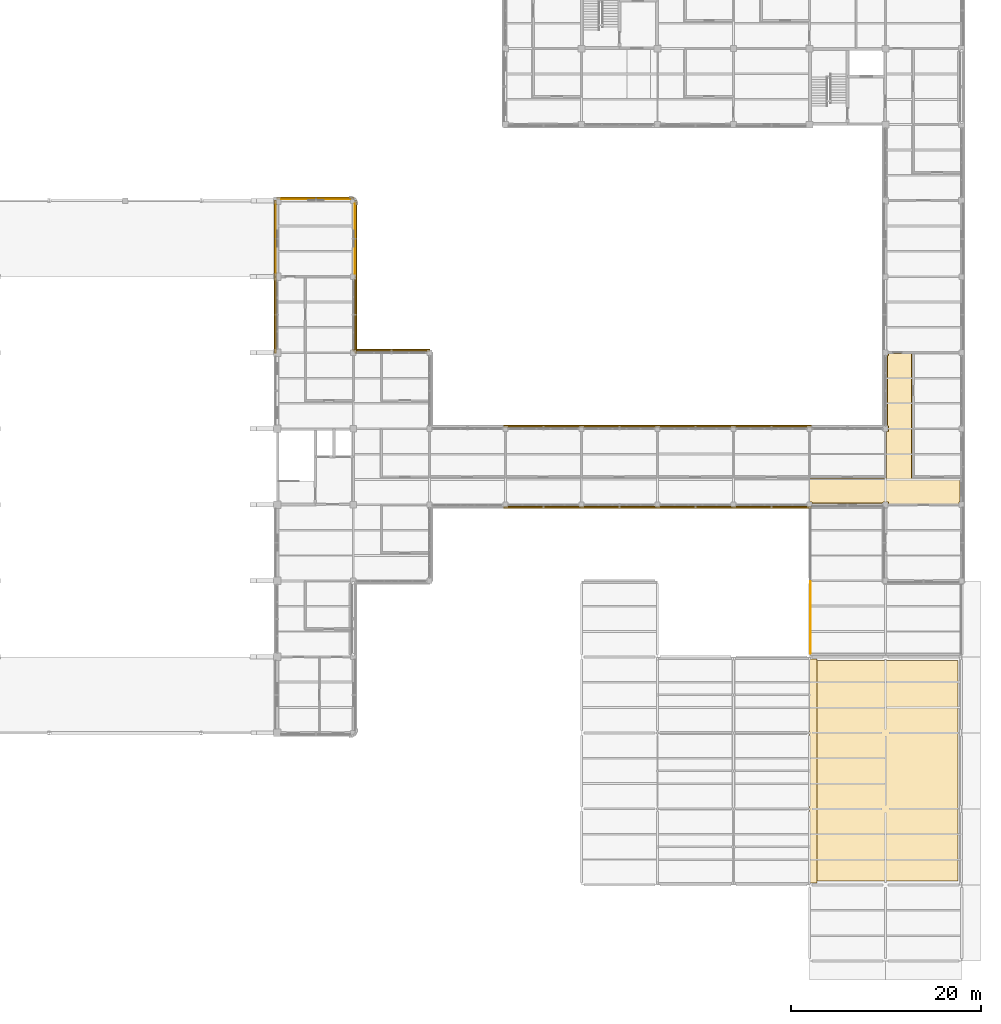
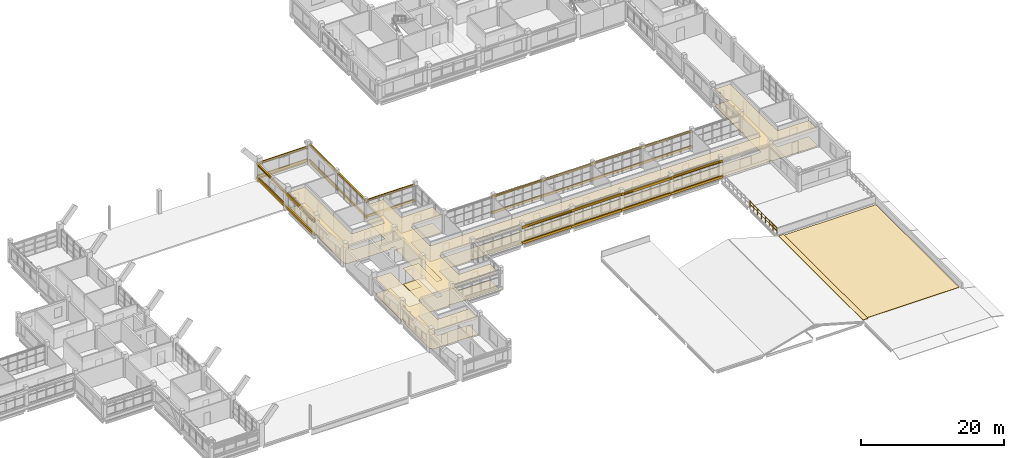
# One storey, part 88 of 92: 35 coverings, 14 shading devices, 1 railing, 2 elements without a shape of their own.
"""IFC4 building model written with IfcOpenShell, lengths in metres."""

from ifc_helpers import new_model, si_unit, derived_unit, direction, frame, origin, origin_2d, place, context, subcontext, project, spatial, polyline, rectangle, circle, outline, extrude, material, layer, layer_set, material_profile, profile_set, type_object, element, aggregate, save


model = new_model("IFC4")

# Units and contexts
model_context = context("Model", 3, precision=1e-05, world=origin(), true_north=direction((0.0, 1.0)))
body_context = subcontext(model_context, "Body", "Model", "MODEL_VIEW")
ifc_project = project(units=[si_unit("LENGTHUNIT", "METRE"), si_unit("AREAUNIT", "SQUARE_METRE"), si_unit("VOLUMEUNIT", "CUBIC_METRE"), si_unit("PLANEANGLEUNIT", "RADIAN"), si_unit("MASSUNIT", "GRAM", prefix="KILO"), derived_unit("THERMALTRANSMITTANCEUNIT", [(si_unit("MASSUNIT", "GRAM", prefix="KILO"), 1), (si_unit("TIMEUNIT", "SECOND"), -3), (si_unit("THERMODYNAMICTEMPERATUREUNIT", "KELVIN"), -1)])], contexts=[model_context])

# Site, building, storey
site_placement = place(None, origin())
site = spatial("IfcSite", under=ifc_project, at=site_placement, CompositionType="ELEMENT")
building_placement = place(site_placement, origin())
building = spatial("IfcBuilding", under=site, at=building_placement, Name="Veyamyaing Civic Hall", CompositionType="ELEMENT")
storey_placement = place(building_placement, frame((0.0, 0.0, 17.820068359375)))
storey = spatial("IfcBuildingStorey", under=building, at=storey_placement, Name="L04", CompositionType="ELEMENT", Elevation=17.820068359375)

# Coverings
ifc_material_1 = material(Name="Turquoise glazed ceramic tile cladding", Category="masonry")
ifc_layer_1 = layer(ifc_material_1, 0.034912109375, Name="Turquoise glazed ceramic tile cladding")
ifc_layer_set_1 = layer_set([ifc_layer_1], Name="Turquoise glazed ceramic tile cladding")
covering_type_1 = type_object("IfcCoveringType", Name="CL-02", PredefinedType="CLADDING", material=ifc_layer_set_1)
covering_1_placement = place(storey_placement, frame((108.0625, 80.166015625, 0.044921875), z_axis=(0.0, 0.0, 1.0), x_axis=(1.0, 0.0, 0.0)))
element("IfcCovering", 1, at=covering_1_placement, inside=storey, type_object=covering_type_1, Name="Facade spandrel cladding CL-02 L04 N 14.10", PredefinedType="CLADDING", context=body_context, shape_type="SweptSolid", body=[
    extrude(rectangle(XDim=7.27490234375, YDim=0.034912109375, at=origin_2d()), origin(), (0.0, 0.0, 1.0), 0.75),
])
covering_2_placement = place(storey_placement, frame((103.833984375, 76.0, 0.044921875), z_axis=(0.0, 0.0, 1.0), x_axis=(0.0, 1.0, 0.0)))
element("IfcCovering", 2, at=covering_2_placement, inside=storey, type_object=covering_type_1, Name="Facade spandrel cladding CL-02 L04 W 14.10", PredefinedType="CLADDING", context=body_context, shape_type="SweptSolid", body=[
    extrude(rectangle(XDim=7.14990234375, YDim=0.034912109375, at=origin_2d()), origin(), (0.0, 0.0, 1.0), 0.75),
])
covering_3_placement = place(storey_placement, frame((112.166015625, 76.0, 0.044921875), z_axis=(0.0, 0.0, 1.0), x_axis=(0.0, 1.0, 0.0)))
element("IfcCovering", 3, at=covering_3_placement, inside=storey, type_object=covering_type_1, Name="Facade spandrel cladding CL-02 L04 E 14.10", PredefinedType="CLADDING", context=body_context, shape_type="SweptSolid", body=[
    extrude(rectangle(XDim=7.39990234375, YDim=0.034912109375, at=origin_2d()), origin(), (0.0, 0.0, 1.0), 0.75),
])
ifc_material_2 = material(Name="White powder-coated aluminium 6063-T6", Category="aluminium")
ifc_layer_2 = layer(ifc_material_2, 0.2099609375, Name="White powder-coated aluminium 6063-T6")
ifc_layer_set_2 = layer_set([ifc_layer_2], Name="White powder-coated aluminium 6063-T6")
covering_type_2 = type_object("IfcCoveringType", Name="CL-03", PredefinedType="CLADDING", material=ifc_layer_set_2)
for number, where, z_axis, x_axis, name in (
    (4, (103.760009765625, 68.0, 2.6220703125), (0.0, 0.0, 1.0), (0.0, 1.0, 0.0), "Continuous white head fascia ribbon CL-03 L04 W 14.9"),
    (5, (103.760009765625, 68.0, 0.280029296875), (0.0, 0.0, 1.0), (0.0, 1.0, 0.0), "Continuous white sill fascia ribbon CL-03 L04 W 14.9"),
    (6, (112.239990234375, 68.0, 2.908935546875), (0.0, 0.0, 1.0), (0.0, 1.0, 0.0), "Continuous white head fascia ribbon CL-03 L04 E 14.9"),
    (7, (112.239990234375, 68.0, 0.280029296875), (0.0, 0.0, 1.0), (0.0, 1.0, 0.0), "Continuous white sill fascia ribbon CL-03 L04 E 14.9"),
    (8, (108.0, 80.239990234375, 2.43701171875), (0.0, 0.0, 1.0), (1.0, 0.0, 0.0), "Continuous white head fascia ribbon CL-03 L04 N 14.10"),
    (9, (108.0, 80.239990234375, 0.280029296875), (0.0, 0.0, 1.0), (1.0, 0.0, 0.0), "Continuous white sill fascia ribbon CL-03 L04 N 14.10"),
    (10, (103.760009765625, 76.0, 2.6220703125), (0.0, 0.0, 1.0), (0.0, 1.0, 0.0), "Continuous white head fascia ribbon CL-03 L04 W 14.10"),
    (11, (103.760009765625, 76.0, 0.280029296875), (0.0, 0.0, 1.0), (0.0, 1.0, 0.0), "Continuous white sill fascia ribbon CL-03 L04 W 14.10"),
    (12, (112.239990234375, 76.0, 2.971923828125), (0.0, 0.0, 1.0), (0.0, 1.0, 0.0), "Continuous white head fascia ribbon CL-03 L04 E 14.10"),
    (13, (112.239990234375, 76.0, 0.280029296875), (0.0, 0.0, 1.0), (0.0, 1.0, 0.0), "Continuous white sill fascia ribbon CL-03 L04 E 14.10"),
    (14, (116.0, 64.239990234375, 2.908935546875), (0.0, 0.0, 1.0), (1.0, 0.0, 0.0), "Continuous white head fascia ribbon CL-03 L04 N 15.8"),
    (15, (116.0, 64.239990234375, 0.280029296875), (0.0, 0.0, 1.0), (1.0, 0.0, 0.0), "Continuous white sill fascia ribbon CL-03 L04 N 15.8"),
):
    element("IfcCovering", number, at=place(storey_placement, frame(where, z_axis=z_axis, x_axis=x_axis)), inside=storey, type_object=covering_type_2, Name=name, PredefinedType="CLADDING", context=body_context, shape_type="SweptSolid", body=[
        extrude(rectangle(XDim=8.1201171875, YDim=0.2099609375, at=origin_2d()), origin(), (0.0, 0.0, 1.0), 0.39990234375),
    ])
for number, where, z_axis, x_axis, name in (
    (16, (132.0, 47.760009765625, 2.908935546875), (0.0, 0.0, 1.0), (1.0, 0.0, 0.0), "Continuous white head fascia ribbon CL-03 L04 S 17.7"),
    (17, (132.0, 47.760009765625, 0.280029296875), (0.0, 0.0, 1.0), (1.0, 0.0, 0.0), "Continuous white sill fascia ribbon CL-03 L04 S 17.7"),
    (18, (132.0, 56.239990234375, 2.971923828125), (0.0, 0.0, 1.0), (1.0, 0.0, 0.0), "Continuous white head fascia ribbon CL-03 L04 N 17.7"),
    (19, (132.0, 56.239990234375, 0.280029296875), (0.0, 0.0, 1.0), (1.0, 0.0, 0.0), "Continuous white sill fascia ribbon CL-03 L04 N 17.7"),
    (20, (140.0, 47.760009765625, 2.971923828125), (0.0, 0.0, 1.0), (1.0, 0.0, 0.0), "Continuous white head fascia ribbon CL-03 L04 S 18.7"),
    (21, (140.0, 47.760009765625, 0.280029296875), (0.0, 0.0, 1.0), (1.0, 0.0, 0.0), "Continuous white sill fascia ribbon CL-03 L04 S 18.7"),
    (22, (140.0, 56.239990234375, 2.905029296875), (0.0, 0.0, 1.0), (1.0, 0.0, 0.0), "Continuous white head fascia ribbon CL-03 L04 N 18.7"),
    (23, (140.0, 56.239990234375, 0.280029296875), (0.0, 0.0, 1.0), (1.0, 0.0, 0.0), "Continuous white sill fascia ribbon CL-03 L04 N 18.7"),
    (24, (148.0, 47.760009765625, 2.905029296875), (0.0, 0.0, 1.0), (1.0, 0.0, 0.0), "Continuous white head fascia ribbon CL-03 L04 S 19.7"),
    (25, (148.0, 47.760009765625, 0.280029296875), (0.0, 0.0, 1.0), (1.0, 0.0, 0.0), "Continuous white sill fascia ribbon CL-03 L04 S 19.7"),
    (26, (148.0, 56.239990234375, 2.968994140625), (0.0, 0.0, 1.0), (1.0, 0.0, 0.0), "Continuous white head fascia ribbon CL-03 L04 N 19.7"),
    (27, (148.0, 56.239990234375, 0.280029296875), (0.0, 0.0, 1.0), (1.0, 0.0, 0.0), "Continuous white sill fascia ribbon CL-03 L04 N 19.7"),
    (28, (156.0, 47.760009765625, 2.968994140625), (0.0, 0.0, 1.0), (1.0, 0.0, 0.0), "Continuous white head fascia ribbon CL-03 L04 S 20.7"),
    (29, (156.0, 47.760009765625, 0.280029296875), (0.0, 0.0, 1.0), (1.0, 0.0, 0.0), "Continuous white sill fascia ribbon CL-03 L04 S 20.7"),
    (30, (156.0, 56.239990234375, 2.908935546875), (0.0, 0.0, 1.0), (1.0, 0.0, 0.0), "Continuous white head fascia ribbon CL-03 L04 N 20.7"),
    (31, (156.0, 56.239990234375, 0.280029296875), (0.0, 0.0, 1.0), (1.0, 0.0, 0.0), "Continuous white sill fascia ribbon CL-03 L04 N 20.7"),
):
    element("IfcCovering", number, at=place(storey_placement, frame(where, z_axis=z_axis, x_axis=x_axis)), inside=storey, type_object=covering_type_2, Name=name, PredefinedType="CLADDING", context=body_context, shape_type="SweptSolid", body=[
        extrude(rectangle(XDim=8.360107421875, YDim=0.2099609375, at=origin_2d()), origin(), (0.0, 0.0, 1.0), 0.39990234375),
    ])
ifc_material_3 = material(Name="Perforated acoustic gypsum ceiling board")
ifc_layer_3 = layer(ifc_material_3, 0.02490234375, Name="Perforated acoustic gypsum ceiling board")
ifc_layer_set_3 = layer_set([ifc_layer_3], Name="Perforated acoustic gypsum ceiling board")
covering_type_3 = type_object("IfcCoveringType", Name="CLG-01", PredefinedType="CEILING", material=ifc_layer_set_3)
covering_4_placement = place(storey_placement, frame((0.0, 0.0, 2.699951171875)))
element("IfcCovering", 32, at=covering_4_placement, inside=storey, type_object=covering_type_3, Name="Acoustic suspended ceiling CLG-01 L04-C04", PredefinedType="CEILING", context=body_context, shape_type="SweptSolid", body=[
    extrude(outline(polyline([(106.77490234375, 42.8525390625), (106.78125, 42.821533203125), (106.79736328125, 42.79736328125), (106.821533203125, 42.78125), (106.8525390625, 42.77490234375), (108.6982421875, 42.77490234375), (108.7216796875, 42.778564453125), (108.741455078125, 42.787841796875), (108.7578125, 42.802490234375), (108.768798828125, 42.82080078125), (108.77490234375, 42.8525390625), (108.77490234375, 47.925048828125), (111.27490234375, 47.925048828125), (111.27685546875, 42.8349609375), (111.283935546875, 42.8154296875), (111.302734375, 42.79248046875), (111.3291015625, 42.7783203125), (111.351806640625, 42.77490234375), (112.006591796875, 42.775390625), (112.028564453125, 42.781005859375), (112.04736328125, 42.792236328125), (112.068603515625, 42.8203125), (112.074951171875, 42.8525390625), (112.074951171875, 47.6650390625), (112.3349609375, 47.6650390625), (112.3349609375, 48.3349609375), (112.074951171875, 48.3349609375), (112.074951171875, 55.6650390625), (112.3349609375, 55.6650390625), (112.3349609375, 56.3349609375), (111.6650390625, 56.3349609375), (111.6650390625, 56.074951171875), (104.385009765625, 56.074951171875), (104.385009765625, 56.385009765625), (104.155029296875, 56.385009765625), (104.155029296875, 63.614990234375), (104.385009765625, 63.614990234375), (104.385009765625, 64.385009765625), (104.155029296875, 64.385009765625), (104.155029296875, 71.614990234375), (104.385009765625, 71.614990234375), (104.385009765625, 71.925048828125), (106.77490234375, 71.925048828125), (106.77490234375, 58.8525390625), (106.781494140625, 58.8203125), (106.80224609375, 58.792724609375), (106.8291015625, 58.7783203125), (106.851806640625, 58.77490234375), (111.998291015625, 58.77490234375), (112.021728515625, 58.778564453125), (112.0419921875, 58.7880859375), (112.052490234375, 58.796630859375), (112.06640625, 58.815185546875), (112.0712890625, 58.82763671875), (112.074951171875, 58.851806640625), (112.074951171875, 63.739990234375), (112.260009765625, 63.739990234375), (112.260009765625, 63.844970703125), (114.77490234375, 63.844970703125), (114.77490234375, 58.8525390625), (114.78125, 58.821533203125), (114.79736328125, 58.79736328125), (114.821533203125, 58.78125), (114.8525390625, 58.77490234375), (119.844970703125, 58.77490234375), (119.844970703125, 56.260009765625), (119.739990234375, 56.260009765625), (119.739990234375, 56.074951171875), (114.851806640625, 56.074951171875), (114.82763671875, 56.0712890625), (114.815185546875, 56.06640625), (114.796630859375, 56.052490234375), (114.7880859375, 56.0419921875), (114.778564453125, 56.021728515625), (114.77490234375, 55.998291015625), (114.77490234375, 50.851806640625), (114.778564453125, 50.828369140625), (114.787841796875, 50.80859375), (114.80224609375, 50.792724609375), (114.8291015625, 50.7783203125), (114.851806640625, 50.77490234375), (168.01513671875, 50.77685546875), (168.03466796875, 50.783935546875), (168.05810546875, 50.80322265625), (168.068603515625, 50.82080078125), (168.074951171875, 50.8525390625), (168.074951171875, 55.739990234375), (168.260009765625, 55.739990234375), (168.260009765625, 56.260009765625), (168.155029296875, 56.260009765625), (168.155029296875, 63.739990234375), (168.260009765625, 63.739990234375), (168.260009765625, 63.925048828125), (170.77490234375, 63.925048828125), (170.77490234375, 50.8525390625), (170.78125, 50.82080078125), (170.792236328125, 50.802490234375), (170.80859375, 50.787841796875), (170.828369140625, 50.778564453125), (170.851806640625, 50.77490234375), (175.844970703125, 50.77490234375), (175.844970703125, 48.260009765625), (175.739990234375, 48.260009765625), (175.739990234375, 48.074951171875), (168.260009765625, 48.074951171875), (168.260009765625, 48.260009765625), (167.739990234375, 48.260009765625), (167.739990234375, 48.155029296875), (160.260009765625, 48.155029296875), (160.260009765625, 48.260009765625), (159.739990234375, 48.260009765625), (159.739990234375, 48.155029296875), (152.260009765625, 48.155029296875), (152.260009765625, 48.260009765625), (151.739990234375, 48.260009765625), (151.739990234375, 48.155029296875), (144.260009765625, 48.155029296875), (144.260009765625, 48.260009765625), (143.739990234375, 48.260009765625), (143.739990234375, 48.155029296875), (136.260009765625, 48.155029296875), (136.260009765625, 48.260009765625), (135.739990234375, 48.260009765625), (135.739990234375, 48.155029296875), (128.260009765625, 48.155029296875), (128.260009765625, 48.260009765625), (127.739990234375, 48.260009765625), (127.739990234375, 48.155029296875), (120.260009765625, 48.155029296875), (120.260009765625, 48.260009765625), (119.739990234375, 48.260009765625), (119.739990234375, 48.074951171875), (114.851806640625, 48.074951171875), (114.8291015625, 48.071533203125), (114.80224609375, 48.057373046875), (114.787841796875, 48.04150390625), (114.778564453125, 48.021728515625), (114.77490234375, 47.998291015625), (114.77490234375, 42.851806640625), (114.778564453125, 42.828369140625), (114.7880859375, 42.807861328125), (114.796630859375, 42.797607421875), (114.815185546875, 42.78369140625), (114.82763671875, 42.778564453125), (114.851806640625, 42.77490234375), (119.844970703125, 42.77490234375), (119.844970703125, 40.260009765625), (119.739990234375, 40.260009765625), (119.739990234375, 40.155029296875), (112.260009765625, 40.155029296875), (112.260009765625, 40.260009765625), (111.739990234375, 40.260009765625), (111.739990234375, 40.074951171875), (106.8525390625, 40.074951171875), (106.821533203125, 40.06884765625), (106.79736328125, 40.052734375), (106.78125, 40.028564453125), (106.77490234375, 39.99755859375), (106.77490234375, 34.851806640625), (106.778564453125, 34.828369140625), (106.7880859375, 34.807861328125), (106.796630859375, 34.797607421875), (106.815185546875, 34.78369140625), (106.82763671875, 34.778564453125), (106.851806640625, 34.77490234375), (111.844970703125, 34.77490234375), (111.844970703125, 32.260009765625), (111.739990234375, 32.260009765625), (111.739990234375, 32.074951171875), (104.385009765625, 32.074951171875), (104.385009765625, 32.385009765625), (104.155029296875, 32.385009765625), (104.155029296875, 39.614990234375), (104.385009765625, 39.614990234375), (104.385009765625, 40.385009765625), (104.155029296875, 40.385009765625), (104.155029296875, 47.614990234375), (104.385009765625, 47.614990234375), (104.385009765625, 47.925048828125), (106.77490234375, 47.925048828125), (106.77490234375, 42.8525390625)])), origin(), (0.0, 0.0, 1.0), 0.02490234375),
])
ifc_material_4 = material(Name="Polished Mandalay marble and terrazzo flooring", Category="masonry")
ifc_layer_4 = layer(ifc_material_4, 0.030029296875, Name="Polished Mandalay marble and terrazzo flooring")
ifc_layer_set_4 = layer_set([ifc_layer_4], Name="Polished Mandalay marble and terrazzo flooring")
covering_type_4 = type_object("IfcCoveringType", Name="FLR-01", PredefinedType="FLOORING", material=ifc_layer_set_4)
covering_5_placement = place(storey_placement, origin())
element("IfcCovering", 33, at=covering_5_placement, inside=storey, type_object=covering_type_4, Name="Stone and terrazzo flooring FLR-01 L04-C04", PredefinedType="FLOORING", context=body_context, shape_type="SweptSolid", body=[
    extrude(outline(polyline([(106.75, 42.85009765625), (106.757568359375, 42.811767578125), (106.779296875, 42.779296875), (106.811767578125, 42.757568359375), (106.85009765625, 42.75), (108.699951171875, 42.75), (108.72900390625, 42.75439453125), (108.755615234375, 42.766845703125), (108.77734375, 42.78662109375), (108.79248046875, 42.811767578125), (108.800048828125, 42.85009765625), (108.800048828125, 47.89990234375), (111.25, 47.89990234375), (111.251953125, 42.83056640625), (111.26171875, 42.802978515625), (111.28662109375, 42.772705078125), (111.321044921875, 42.75439453125), (111.35009765625, 42.75), (112.009765625, 42.75048828125), (112.038330078125, 42.757568359375), (112.0634765625, 42.772705078125), (112.0830078125, 42.79443359375), (112.09228515625, 42.811767578125), (112.10009765625, 42.85009765625), (112.10009765625, 47.639892578125), (112.360107421875, 47.639892578125), (112.360107421875, 48.360107421875), (112.10009765625, 48.360107421875), (112.10009765625, 55.639892578125), (112.360107421875, 55.639892578125), (112.360107421875, 56.360107421875), (111.639892578125, 56.360107421875), (111.639892578125, 56.10009765625), (104.409912109375, 56.10009765625), (104.409912109375, 56.409912109375), (104.179931640625, 56.409912109375), (104.179931640625, 63.590087890625), (104.409912109375, 63.590087890625), (104.409912109375, 64.409912109375), (104.179931640625, 64.409912109375), (104.179931640625, 71.590087890625), (104.409912109375, 71.590087890625), (104.409912109375, 71.89990234375), (106.75, 71.89990234375), (106.75, 58.85009765625), (106.757568359375, 58.811767578125), (106.766845703125, 58.79443359375), (106.78662109375, 58.772705078125), (106.821044921875, 58.75439453125), (106.85009765625, 58.75), (112.0, 58.75), (112.029052734375, 58.75439453125), (112.0556640625, 58.766845703125), (112.07080078125, 58.779296875), (112.088134765625, 58.802978515625), (112.095703125, 58.821044921875), (112.10009765625, 58.85009765625), (112.10009765625, 63.715087890625), (112.284912109375, 63.715087890625), (112.284912109375, 63.820068359375), (114.75, 63.820068359375), (114.75, 58.85009765625), (114.757568359375, 58.811767578125), (114.779296875, 58.779296875), (114.811767578125, 58.757568359375), (114.85009765625, 58.75), (119.820068359375, 58.75), (119.820068359375, 56.284912109375), (119.715087890625, 56.284912109375), (119.715087890625, 56.10009765625), (114.85009765625, 56.10009765625), (114.821044921875, 56.095703125), (114.802978515625, 56.088134765625), (114.779296875, 56.07080078125), (114.766845703125, 56.0556640625), (114.75439453125, 56.029052734375), (114.75, 56.0), (114.75, 50.85009765625), (114.75439453125, 50.821044921875), (114.766845703125, 50.79443359375), (114.78662109375, 50.772705078125), (114.821044921875, 50.75439453125), (114.85009765625, 50.75), (168.01953125, 50.751953125), (168.047119140625, 50.76171875), (168.077392578125, 50.78662109375), (168.09228515625, 50.811767578125), (168.10009765625, 50.85009765625), (168.10009765625, 55.715087890625), (168.284912109375, 55.715087890625), (168.284912109375, 56.284912109375), (168.179931640625, 56.284912109375), (168.179931640625, 63.715087890625), (168.284912109375, 63.715087890625), (168.284912109375, 63.89990234375), (170.75, 63.89990234375), (170.75, 50.85009765625), (170.757568359375, 50.811767578125), (170.772705078125, 50.78662109375), (170.79443359375, 50.766845703125), (170.821044921875, 50.75439453125), (170.85009765625, 50.75), (175.820068359375, 50.75), (175.820068359375, 48.284912109375), (175.715087890625, 48.284912109375), (175.715087890625, 48.10009765625), (168.284912109375, 48.10009765625), (168.284912109375, 48.284912109375), (167.715087890625, 48.284912109375), (167.715087890625, 48.179931640625), (160.284912109375, 48.179931640625), (160.284912109375, 48.284912109375), (159.715087890625, 48.284912109375), (159.715087890625, 48.179931640625), (152.284912109375, 48.179931640625), (152.284912109375, 48.284912109375), (151.715087890625, 48.284912109375), (151.715087890625, 48.179931640625), (144.284912109375, 48.179931640625), (144.284912109375, 48.284912109375), (143.715087890625, 48.284912109375), (143.715087890625, 48.179931640625), (136.284912109375, 48.179931640625), (136.284912109375, 48.284912109375), (135.715087890625, 48.284912109375), (135.715087890625, 48.179931640625), (128.284912109375, 48.179931640625), (128.284912109375, 48.284912109375), (127.715087890625, 48.284912109375), (127.715087890625, 48.179931640625), (120.284912109375, 48.179931640625), (120.284912109375, 48.284912109375), (119.715087890625, 48.284912109375), (119.715087890625, 48.10009765625), (114.85009765625, 48.10009765625), (114.821044921875, 48.095703125), (114.78662109375, 48.077392578125), (114.766845703125, 48.0556640625), (114.75439453125, 48.029052734375), (114.75, 48.0), (114.75, 42.85009765625), (114.75439453125, 42.821044921875), (114.766845703125, 42.79443359375), (114.779296875, 42.779296875), (114.802978515625, 42.76171875), (114.821044921875, 42.75439453125), (114.85009765625, 42.75), (119.820068359375, 42.75), (119.820068359375, 40.284912109375), (119.715087890625, 40.284912109375), (119.715087890625, 40.179931640625), (112.284912109375, 40.179931640625), (112.284912109375, 40.284912109375), (111.715087890625, 40.284912109375), (111.715087890625, 40.10009765625), (106.85009765625, 40.10009765625), (106.811767578125, 40.09228515625), (106.779296875, 40.07080078125), (106.757568359375, 40.038330078125), (106.75, 40.0), (106.75, 34.85009765625), (106.75439453125, 34.821044921875), (106.766845703125, 34.79443359375), (106.779296875, 34.779296875), (106.802978515625, 34.76171875), (106.821044921875, 34.75439453125), (106.85009765625, 34.75), (111.820068359375, 34.75), (111.820068359375, 32.284912109375), (111.715087890625, 32.284912109375), (111.715087890625, 32.10009765625), (104.409912109375, 32.10009765625), (104.409912109375, 32.409912109375), (104.179931640625, 32.409912109375), (104.179931640625, 39.590087890625), (104.409912109375, 39.590087890625), (104.409912109375, 40.409912109375), (104.179931640625, 40.409912109375), (104.179931640625, 47.590087890625), (104.409912109375, 47.590087890625), (104.409912109375, 47.89990234375), (106.75, 47.89990234375), (106.75, 42.85009765625)])), origin(), (0.0, 0.0, 1.0), 0.030029296875),
])

# Railing
ifc_material_5 = material(Name="Steel S355J2", Category="steel")
railing_type = type_object("IfcRailingType", Name="RL-01", PredefinedType="BALUSTRADE", material=ifc_material_5)
railing_placement = place(storey_placement, frame((160.080078125, 32.360107421875, 0.0)))
element("IfcRailing", 34, at=railing_placement, inside=storey, type_object=railing_type, Name="Planted terrace balustrade RL-01 L04.1", PredefinedType="BALUSTRADE", context=body_context, shape_type="SweptSolid", body=[
    extrude(circle(Radius=0.02392578125, at=origin_2d()), frame((0.0, 0.0, 1.076171875), z_axis=(0.0, 1.0, 0.0), x_axis=(-1.0, 0.0, 0.0)), (0.0, 0.0, 1.0), 7.559814453125),
    extrude(circle(Radius=0.01416015625, at=origin_2d()), frame((0.0, 0.0, 0.572021484375), z_axis=(0.0, 1.0, 0.0), x_axis=(-1.0, 0.0, 0.0)), (0.0, 0.0, 1.0), 7.559814453125),
    extrude(circle(Radius=0.02099609375, at=origin_2d()), origin(), (0.0, 0.0, 1.0), 1.052001953125),
    extrude(circle(Radius=0.02099609375, at=origin_2d()), frame((0.0, 1.080078125, 0.0)), (0.0, 0.0, 1.0), 1.052001953125),
    extrude(circle(Radius=0.02099609375, at=origin_2d()), frame((0.0, 2.159912109375, 0.0)), (0.0, 0.0, 1.0), 1.052001953125),
    extrude(circle(Radius=0.02099609375, at=origin_2d()), frame((0.0, 3.239990234375, 0.0)), (0.0, 0.0, 1.0), 1.052001953125),
    extrude(circle(Radius=0.02099609375, at=origin_2d()), frame((0.0, 4.31982421875, 0.0)), (0.0, 0.0, 1.0), 1.052001953125),
    extrude(circle(Radius=0.02099609375, at=origin_2d()), frame((0.0, 5.39990234375, 0.0)), (0.0, 0.0, 1.0), 1.052001953125),
    extrude(circle(Radius=0.02099609375, at=origin_2d()), frame((0.0, 6.479736328125, 0.0)), (0.0, 0.0, 1.0), 1.052001953125),
    extrude(circle(Radius=0.02099609375, at=origin_2d()), frame((0.0, 7.559814453125, 0.0)), (0.0, 0.0, 1.0), 1.052001953125),
])

# Roof, covering
ifc_material_6 = material(Name="Concrete C40/50", Category="concrete")
roof_type_1 = type_object("IfcRoofType", Name="RF-HIP", PredefinedType="HIP_ROOF", material=ifc_material_6)
roof_1_placement = place(storey_placement, origin())
roof_1 = element("IfcRoof", 35, at=roof_1_placement, inside=storey, type_object=roof_type_1, Name="Members Library Hipped Clerestory Roof", PredefinedType="HIP_ROOF")
ifc_material_7 = material(Name="Cool-roof insulated membrane waterproofing")
ifc_layer_5 = layer(ifc_material_7, 0.080078125, Name="Cool-roof insulated membrane waterproofing")
ifc_layer_set_5 = layer_set([ifc_layer_5], Name="Cool-roof insulated membrane waterproofing")
covering_type_5 = type_object("IfcCoveringType", Name="RM-01", PredefinedType="ROOFING", material=ifc_layer_set_5)
covering_6_placement = place(storey_placement, origin())
covering_6 = element("IfcCovering", 36, at=covering_6_placement, type_object=covering_type_5, Name="Insulated cool-roof membrane RM-01 L04", PredefinedType="ROOFING", context=body_context, shape_type="SweptSolid", body=[
    extrude(outline(polyline([(160.0, 8.199951171875), (160.800048828125, 8.199951171875), (160.800048828125, 31.800048828125), (160.0, 31.800048828125), (160.0, 8.199951171875)])), origin(), (0.0, 0.0, 1.0), 0.079833984375),
])
aggregate(roof_1, [covering_6])

roof_type_2 = type_object("IfcRoofType", Name="RF-FLAT", PredefinedType="FLAT_ROOF", material=ifc_material_6)
roof_2_placement = place(storey_placement, origin())
roof_2 = element("IfcRoof", 37, at=roof_2_placement, inside=storey, type_object=roof_type_2, Name="Southeast Wing Flat Roof Assembly", PredefinedType="FLAT_ROOF")
covering_7_placement = place(storey_placement, origin())
covering_7 = element("IfcCovering", 38, at=covering_7_placement, type_object=covering_type_5, Name="Insulated cool-roof membrane RM-01 L04", PredefinedType="ROOFING", context=body_context, shape_type="SweptSolid", body=[
    extrude(outline(polyline([(160.39990234375, 8.39990234375), (175.60009765625, 8.39990234375), (175.60009765625, 31.60009765625), (160.39990234375, 31.60009765625), (160.39990234375, 8.39990234375)])), origin(), (0.0, 0.0, 1.0), 0.079833984375),
])
aggregate(roof_2, [covering_7])

# Shading devices
ifc_material_profile_1 = material_profile(ifc_material_2, circle(Radius=0.110107421875, at=origin_2d()), Name="SHADE-TUBE-220")
ifc_profile_set_1 = profile_set([ifc_material_profile_1], Name="White powder-coated aluminium 6063-T6")
shading_device_type_1 = type_object("IfcShadingDeviceType", Name="SH-01", PredefinedType="USERDEFINED", material=ifc_profile_set_1)
shading_device_1_placement = place(storey_placement, frame((103.760009765625, 64.385009765625, 2.781982421875), z_axis=(0.0, 1.0, 0.0), x_axis=(-1.0, 0.0, 0.0)))
element("IfcShadingDevice", 39, at=shading_device_1_placement, inside=storey, type_object=shading_device_type_1, Name="Horizontal white sunshade ribbon SH-01 L04 W 14.9", ObjectType="SUNSHADE", PredefinedType="USERDEFINED", context=body_context, shape_type="SweptSolid", body=[
    extrude(circle(Radius=0.110107421875, at=origin_2d()), origin(), (0.0, 0.0, 1.0), 7.22998046875),
])
shading_device_2_placement = place(storey_placement, frame((112.239990234375, 64.260009765625, 3.06884765625), z_axis=(0.0, 1.0, 0.0), x_axis=(-1.0, 0.0, 0.0)))
element("IfcShadingDevice", 40, at=shading_device_2_placement, inside=storey, type_object=shading_device_type_1, Name="Horizontal white sunshade ribbon SH-01 L04 E 14.9", ObjectType="SUNSHADE", PredefinedType="USERDEFINED", context=body_context, shape_type="SweptSolid", body=[
    extrude(circle(Radius=0.110107421875, at=origin_2d()), origin(), (0.0, 0.0, 1.0), 7.47998046875),
])
shading_device_3_placement = place(storey_placement, frame((104.385009765625, 80.239990234375, 2.596923828125), z_axis=(1.0, 0.0, 0.0), x_axis=(0.0, 1.0, 0.0)))
element("IfcShadingDevice", 41, at=shading_device_3_placement, inside=storey, type_object=shading_device_type_1, Name="Horizontal white sunshade ribbon SH-01 L04 N 14.10", ObjectType="SUNSHADE", PredefinedType="USERDEFINED", context=body_context, shape_type="SweptSolid", body=[
    extrude(circle(Radius=0.110107421875, at=origin_2d()), origin(), (0.0, 0.0, 1.0), 7.35498046875),
])
shading_device_4_placement = place(storey_placement, frame((103.760009765625, 72.385009765625, 2.781982421875), z_axis=(0.0, 1.0, 0.0), x_axis=(-1.0, 0.0, 0.0)))
element("IfcShadingDevice", 42, at=shading_device_4_placement, inside=storey, type_object=shading_device_type_1, Name="Horizontal white sunshade ribbon SH-01 L04 W 14.10", ObjectType="SUNSHADE", PredefinedType="USERDEFINED", context=body_context, shape_type="SweptSolid", body=[
    extrude(circle(Radius=0.110107421875, at=origin_2d()), origin(), (0.0, 0.0, 1.0), 7.22998046875),
])
for number, where, z_axis, x_axis, name in (
    (43, (112.239990234375, 72.260009765625, 3.1318359375), (0.0, 1.0, 0.0), (-1.0, 0.0, 0.0), "Horizontal white sunshade ribbon SH-01 L04 E 14.10"),
    (44, (112.260009765625, 64.239990234375, 3.06884765625), (1.0, 0.0, 0.0), (0.0, 1.0, 0.0), "Horizontal white sunshade ribbon SH-01 L04 N 15.8"),
):
    element("IfcShadingDevice", number, at=place(storey_placement, frame(where, z_axis=z_axis, x_axis=x_axis)), inside=storey, type_object=shading_device_type_1, Name=name, ObjectType="SUNSHADE", PredefinedType="USERDEFINED", context=body_context, shape_type="SweptSolid", body=[
        extrude(circle(Radius=0.110107421875, at=origin_2d()), origin(), (0.0, 0.0, 1.0), 7.47998046875),
    ])
ifc_material_profile_2 = material_profile(ifc_material_2, circle(Radius=0.090087890625, at=origin_2d()), Name="SHADE-TUBE-180")
ifc_profile_set_2 = profile_set([ifc_material_profile_2], Name="White powder-coated aluminium 6063-T6")
shading_device_type_2 = type_object("IfcShadingDeviceType", Name="SH-02", PredefinedType="USERDEFINED", material=ifc_profile_set_2)
for number, where, z_axis, x_axis, name in (
    (45, (128.260009765625, 47.760009765625, 3.06884765625), (1.0, 0.0, 0.0), (0.0, 1.0, 0.0), "Horizontal white sunshade ribbon SH-02 L04 S 17.7"),
    (46, (128.260009765625, 56.239990234375, 3.1318359375), (1.0, 0.0, 0.0), (0.0, 1.0, 0.0), "Horizontal white sunshade ribbon SH-02 L04 N 17.7"),
    (47, (136.260009765625, 47.760009765625, 3.1318359375), (1.0, 0.0, 0.0), (0.0, 1.0, 0.0), "Horizontal white sunshade ribbon SH-02 L04 S 18.7"),
    (48, (136.260009765625, 56.239990234375, 3.06494140625), (1.0, 0.0, 0.0), (0.0, 1.0, 0.0), "Horizontal white sunshade ribbon SH-02 L04 N 18.7"),
    (49, (144.260009765625, 47.760009765625, 3.06494140625), (1.0, 0.0, 0.0), (0.0, 1.0, 0.0), "Horizontal white sunshade ribbon SH-02 L04 S 19.7"),
    (50, (144.260009765625, 56.239990234375, 3.12890625), (1.0, 0.0, 0.0), (0.0, 1.0, 0.0), "Horizontal white sunshade ribbon SH-02 L04 N 19.7"),
    (51, (152.260009765625, 47.760009765625, 3.12890625), (1.0, 0.0, 0.0), (0.0, 1.0, 0.0), "Horizontal white sunshade ribbon SH-02 L04 S 20.7"),
    (52, (152.260009765625, 56.239990234375, 3.06884765625), (1.0, 0.0, 0.0), (0.0, 1.0, 0.0), "Horizontal white sunshade ribbon SH-02 L04 N 20.7"),
):
    element("IfcShadingDevice", number, at=place(storey_placement, frame(where, z_axis=z_axis, x_axis=x_axis)), inside=storey, type_object=shading_device_type_2, Name=name, ObjectType="SUNSHADE", PredefinedType="USERDEFINED", context=body_context, shape_type="SweptSolid", body=[
        extrude(circle(Radius=0.090087890625, at=origin_2d()), origin(), (0.0, 0.0, 1.0), 7.47998046875),
    ])

save(model, "model.ifc")
